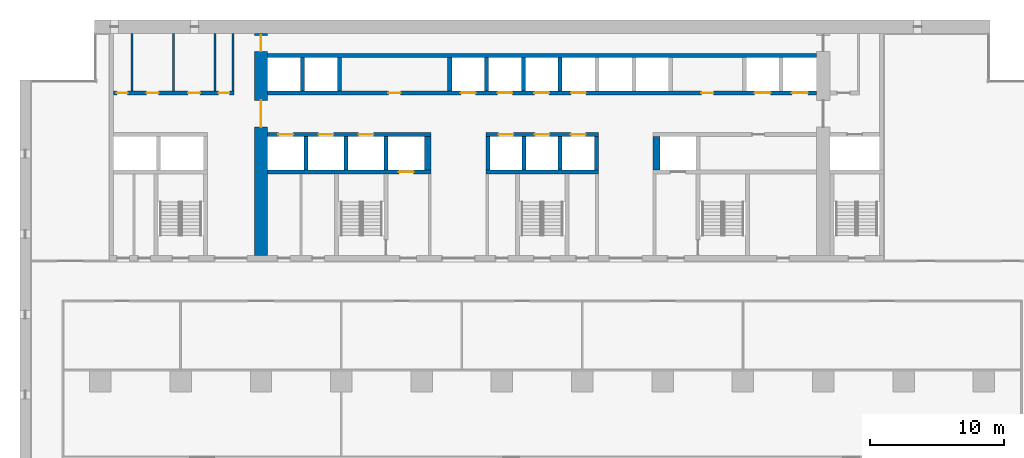
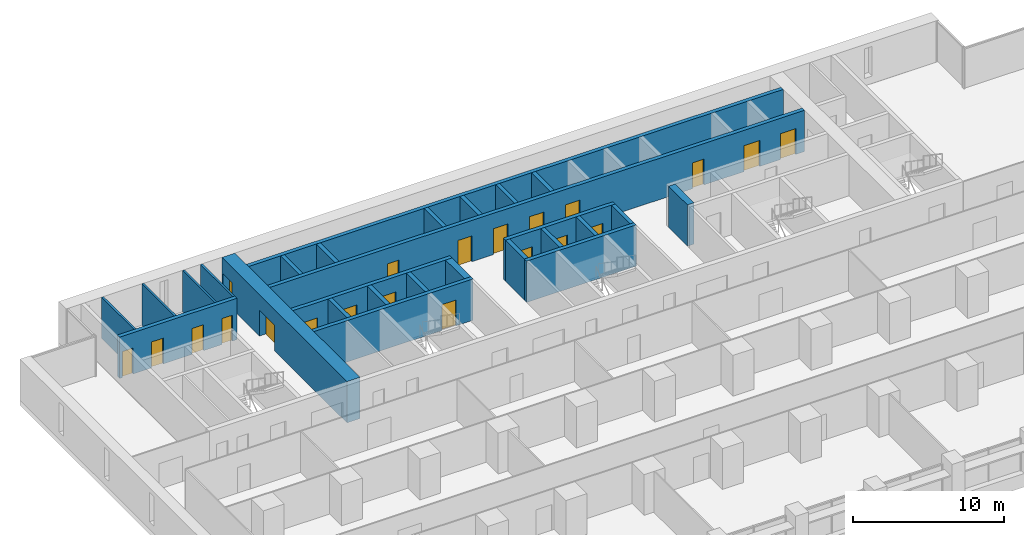
# One storey, part 11 of 17: 27 walls, 21 doors, 21 openings.
"""IFC4 building model written with IfcOpenShell, lengths in metres."""

from ifc_helpers import new_model, si_unit, direction, frame, frame_2d, origin, place, context, subcontext, project, spatial, rectangle, extrude, material, layer, layer_set, type_object, element, fill, save


model = new_model("IFC4")

# Units and contexts
model_context = context("Model", 3, precision=1e-05, world=origin(), true_north=direction((0.0, 1.0)))
body_context = subcontext(model_context, "Body", "Model", "MODEL_VIEW")
ifc_project = project(units=[si_unit("LENGTHUNIT", "METRE"), si_unit("AREAUNIT", "SQUARE_METRE"), si_unit("VOLUMEUNIT", "CUBIC_METRE"), si_unit("PLANEANGLEUNIT", "RADIAN"), si_unit("MASSUNIT", "GRAM", prefix="KILO")], contexts=[model_context])

# Site, building, storey
site_placement = place(None, origin())
site = spatial("IfcSite", under=ifc_project, at=site_placement, CompositionType="ELEMENT")
building_placement = place(site_placement, origin())
building = spatial("IfcBuilding", under=site, at=building_placement, Name="Calvaro Tower", CompositionType="ELEMENT")
storey_placement = place(building_placement, frame((0.0, 0.0, 67.5)))
storey = spatial("IfcBuildingStorey", under=building, at=storey_placement, Name="L16", CompositionType="ELEMENT", Elevation=67.5)

# Walls
ifc_material_1 = material(Name="Blockwork partition", Category="masonry")
ifc_layer_1 = layer(ifc_material_1, 0.14990234375)
ifc_layer_set_1 = layer_set([ifc_layer_1], Name="Blockwork partition")
wall_type_1 = type_object("IfcWallType", Name="Core partition 150 EI 60", PredefinedType="PARTITIONING", material=ifc_layer_set_1)
for number, where, z_axis, x_axis, name in (
    (1, (8.35009765625, 40.699951171875, 0.0), (0.0, 0.0, 1.0), (0.0, 1.0, 0.0), "Core partition"),
    (2, (11.449951171875, 40.699951171875, 0.0), (0.0, 0.0, 1.0), (0.0, 1.0, 0.0), "Core partition"),
    (3, (14.550048828125, 40.699951171875, 0.0), (0.0, 0.0, 1.0), (0.0, 1.0, 0.0), "Core partition"),
):
    element("IfcWall", number, at=place(storey_placement, frame(where, z_axis=z_axis, x_axis=x_axis)), inside=storey, type_object=wall_type_1, Name=name, PredefinedType="PARTITIONING", context=body_context, shape_type="SweptSolid", body=[
        extrude(rectangle(XDim=4.300048828125, YDim=0.14990234375, at=frame_2d((2.14990234375, 0.0))), origin(), (0.0, 0.0, 1.0), 3.35009765625),
    ])
ifc_material_2 = material(Name="Blockwork partition", Category="masonry")
ifc_layer_2 = layer(ifc_material_2, 0.14990234375)
ifc_layer_set_2 = layer_set([ifc_layer_2], Name="Blockwork partition")
wall_type_2 = type_object("IfcWallType", Name="Core partition 150 REI 120", PredefinedType="PARTITIONING", material=ifc_layer_set_2)
wall_1_placement = place(storey_placement, frame((15.925048828125, 40.699951171875, 0.0), z_axis=(0.0, 0.0, 1.0), x_axis=(0.0, 1.0, 0.0)))
element("IfcWall", 4, at=wall_1_placement, inside=storey, type_object=wall_type_2, Name="Core partition", PredefinedType="PARTITIONING", context=body_context, shape_type="SweptSolid", body=[
    extrude(rectangle(XDim=4.300048828125, YDim=0.14990234375, at=frame_2d((2.14990234375, 0.0))), origin(), (0.0, 0.0, 1.0), 3.35009765625),
])

# Wall, openings, doors
ifc_material_3 = material(Name="Blockwork partition", Category="masonry")
ifc_layer_3 = layer(ifc_material_3, 0.300048828125)
ifc_layer_set_3 = layer_set([ifc_layer_3], Name="Blockwork partition")
wall_type_3 = type_object("IfcWallType", Name="Core partition 300 REI 120", PredefinedType="PARTITIONING", material=ifc_layer_set_3)
wall_2_placement = place(storey_placement, frame((7.0, 40.550048828125, 0.0), z_axis=(0.0, 0.0, 1.0), x_axis=(1.0, 0.0, 0.0)))
wall_2 = element("IfcWall", 5, at=wall_2_placement, inside=storey, type_object=wall_type_3, Name="Core partition", PredefinedType="PARTITIONING", context=body_context, shape_type="SweptSolid", body=[
    extrude(rectangle(XDim=9.0, YDim=0.300048828125, at=frame_2d((4.5, 0.0))), origin(), (0.0, 0.0, 1.0), 3.35009765625),
])
opening_1_placement = place(wall_2_placement, frame((0.237548828125, 0.0, 0.0)))
opening_1 = element("IfcOpeningElement", 6, at=opening_1_placement, cuts=wall_2, Name="Opening RD8", PredefinedType="OPENING", context=body_context, shape_type="SweptSolid", body=[
    extrude(rectangle(XDim=0.800048828125, YDim=2.10009765625, at=frame_2d((0.39990234375, 1.050048828125))), frame((0.0, 0.159912109375, 0.0), z_axis=(0.0, -1.0, 0.0), x_axis=(1.0, 0.0, 0.0)), (0.0, 0.0, 1.0), 0.320068359375),
])
opening_2_placement = place(wall_2_placement, frame((2.449951171875, 0.0, 0.0)))
opening_2 = element("IfcOpeningElement", 7, at=opening_2_placement, cuts=wall_2, Name="Opening RD9", PredefinedType="OPENING", context=body_context, shape_type="SweptSolid", body=[
    extrude(rectangle(XDim=0.89990234375, YDim=2.10009765625, at=frame_2d((0.449951171875, 1.050048828125))), frame((0.0, 0.159912109375, 0.0), z_axis=(0.0, -1.0, 0.0), x_axis=(1.0, 0.0, 0.0)), (0.0, 0.0, 1.0), 0.320068359375),
])
opening_3_placement = place(wall_2_placement, frame((5.550048828125, 0.0, 0.0)))
opening_3 = element("IfcOpeningElement", 8, at=opening_3_placement, cuts=wall_2, Name="Opening RD9", PredefinedType="OPENING", context=body_context, shape_type="SweptSolid", body=[
    extrude(rectangle(XDim=0.89990234375, YDim=2.10009765625, at=frame_2d((0.449951171875, 1.050048828125))), frame((0.0, 0.159912109375, 0.0), z_axis=(0.0, -1.0, 0.0), x_axis=(1.0, 0.0, 0.0)), (0.0, 0.0, 1.0), 0.320068359375),
])
opening_4_placement = place(wall_2_placement, frame((7.83740234375, 0.0, 0.0)))
opening_4 = element("IfcOpeningElement", 9, at=opening_4_placement, cuts=wall_2, Name="Opening RD8C", PredefinedType="OPENING", context=body_context, shape_type="SweptSolid", body=[
    extrude(rectangle(XDim=0.800048828125, YDim=2.10009765625, at=frame_2d((0.39990234375, 1.050048828125))), frame((0.0, 0.159912109375, 0.0), z_axis=(0.0, -1.0, 0.0), x_axis=(1.0, 0.0, 0.0)), (0.0, 0.0, 1.0), 0.320068359375),
])
ifc_material_4 = material(Name="Steel door set", Category="steel")
door_type_1 = type_object("IfcDoorType", Name="Room door 800", OperationType="SINGLE_SWING_LEFT", PredefinedType="DOOR", material=ifc_material_4)
door_1_placement = place(opening_1_placement, origin())
door_1 = element("IfcDoor", 10, at=door_1_placement, inside=storey, type_object=door_type_1, Name="Room door", OperationType="SINGLE_SWING_LEFT", OverallHeight=2.10009765625, OverallWidth=0.800048828125, PredefinedType="DOOR", context=body_context, shape_type="SweptSolid", body=[
    extrude(rectangle(XDim=0.800048828125, YDim=2.10009765625, at=frame_2d((0.39990234375, 1.050048828125))), frame((0.0, 0.02490234375, 0.0), z_axis=(0.0, -1.0, 0.0), x_axis=(1.0, 0.0, 0.0)), (0.0, 0.0, 1.0), 0.050048828125),
])
fill(opening_1, door_1)
ifc_material_5 = material(Name="Steel door set", Category="steel")
door_type_2 = type_object("IfcDoorType", Name="Room door 800 FD30", OperationType="SINGLE_SWING_LEFT", PredefinedType="DOOR", material=ifc_material_5)
door_2_placement = place(opening_4_placement, origin())
door_2 = element("IfcDoor", 11, at=door_2_placement, inside=storey, type_object=door_type_2, Name="Room door", OperationType="SINGLE_SWING_RIGHT", OverallHeight=2.10009765625, OverallWidth=0.800048828125, PredefinedType="DOOR", context=body_context, shape_type="SweptSolid", body=[
    extrude(rectangle(XDim=0.800048828125, YDim=2.10009765625, at=frame_2d((0.39990234375, 1.050048828125))), frame((0.0, 0.02490234375, 0.0), z_axis=(0.0, -1.0, 0.0), x_axis=(1.0, 0.0, 0.0)), (0.0, 0.0, 1.0), 0.050048828125),
])
fill(opening_4, door_2)
ifc_material_6 = material(Name="Steel door set", Category="steel")
door_type_3 = type_object("IfcDoorType", Name="Room door 900", OperationType="SINGLE_SWING_LEFT", PredefinedType="DOOR", material=ifc_material_6)
door_3_placement = place(opening_2_placement, origin())
door_3 = element("IfcDoor", 12, at=door_3_placement, inside=storey, type_object=door_type_3, Name="Room door", OperationType="SINGLE_SWING_LEFT", OverallHeight=2.10009765625, OverallWidth=0.89990234375, PredefinedType="DOOR", context=body_context, shape_type="SweptSolid", body=[
    extrude(rectangle(XDim=0.89990234375, YDim=2.10009765625, at=frame_2d((0.449951171875, 1.050048828125))), frame((0.0, 0.02490234375, 0.0), z_axis=(0.0, -1.0, 0.0), x_axis=(1.0, 0.0, 0.0)), (0.0, 0.0, 1.0), 0.050048828125),
])
fill(opening_2, door_3)
door_4_placement = place(opening_3_placement, origin())
door_4 = element("IfcDoor", 13, at=door_4_placement, inside=storey, type_object=door_type_3, Name="Room door", OperationType="SINGLE_SWING_LEFT", OverallHeight=2.10009765625, OverallWidth=0.89990234375, PredefinedType="DOOR", context=body_context, shape_type="SweptSolid", body=[
    extrude(rectangle(XDim=0.89990234375, YDim=2.10009765625, at=frame_2d((0.449951171875, 1.050048828125))), frame((0.0, 0.02490234375, 0.0), z_axis=(0.0, -1.0, 0.0), x_axis=(1.0, 0.0, 0.0)), (0.0, 0.0, 1.0), 0.050048828125),
])
fill(opening_3, door_4)

ifc_material_7 = material(Name="Concrete C80/95", Category="concrete")
ifc_layer_4 = layer(ifc_material_7, 1.0)
ifc_layer_set_4 = layer_set([ifc_layer_4], Name="Concrete C80/95")
wall_type_4 = type_object("IfcWallType", Name="Core wall C80/95 1000", PredefinedType="SHEAR", material=ifc_layer_set_4)
wall_3_placement = place(storey_placement, frame((18.0, 28.39990234375, 0.0), z_axis=(0.0, 0.0, 1.0), x_axis=(0.0, 1.0, 0.0)))
wall_3 = element("IfcWall", 14, at=wall_3_placement, inside=storey, type_object=wall_type_4, Name="Core wall, cross shear wall", PredefinedType="SHEAR", context=body_context, shape_type="SweptSolid", body=[
    extrude(rectangle(XDim=16.60009765625, YDim=1.0, at=frame_2d((8.300048828125, 0.0))), origin(), (0.0, 0.0, 1.0), 3.35009765625),
])
opening_5_placement = place(wall_3_placement, frame((9.60009765625, 0.0, 0.0)))
opening_5 = element("IfcOpeningElement", 15, at=opening_5_placement, cuts=wall_3, Name="Opening DD20D", PredefinedType="OPENING", context=body_context, shape_type="SweptSolid", body=[
    extrude(rectangle(XDim=2.0, YDim=2.10009765625, at=frame_2d((1.0, 1.050048828125))), frame((0.0, 0.510009765625, 0.0), z_axis=(0.0, -1.0, 0.0), x_axis=(1.0, 0.0, 0.0)), (0.0, 0.0, 1.0), 1.02001953125),
])
opening_6_placement = place(wall_3_placement, frame((15.25, 0.0, 0.0)))
opening_6 = element("IfcOpeningElement", 16, at=opening_6_placement, cuts=wall_3, Name="Opening FD12C", PredefinedType="OPENING", context=body_context, shape_type="SweptSolid", body=[
    extrude(rectangle(XDim=1.199951171875, YDim=2.10009765625, at=frame_2d((0.60009765625, 1.050048828125))), frame((0.0, 0.510009765625, 0.0), z_axis=(0.0, -1.0, 0.0), x_axis=(1.0, 0.0, 0.0)), (0.0, 0.0, 1.0), 1.02001953125),
])
ifc_material_8 = material(Name="Steel door set", Category="steel")
door_type_4 = type_object("IfcDoorType", Name="Fire door 1200 FD30", OperationType="SINGLE_SWING_LEFT", PredefinedType="DOOR", material=ifc_material_8)
door_5_placement = place(opening_6_placement, origin())
door_5 = element("IfcDoor", 17, at=door_5_placement, inside=storey, type_object=door_type_4, Name="Fire door", OperationType="SINGLE_SWING_LEFT", OverallHeight=2.10009765625, OverallWidth=1.199951171875, PredefinedType="DOOR", context=body_context, shape_type="SweptSolid", body=[
    extrude(rectangle(XDim=1.199951171875, YDim=2.10009765625, at=frame_2d((0.60009765625, 1.050048828125))), frame((0.0, 0.02490234375, 0.0), z_axis=(0.0, -1.0, 0.0), x_axis=(1.0, 0.0, 0.0)), (0.0, 0.0, 1.0), 0.050048828125),
])
fill(opening_6, door_5)
ifc_material_9 = material(Name="Steel door set", Category="steel")
door_type_5 = type_object("IfcDoorType", Name="Lobby double door 2000 FD30S", OperationType="DOUBLE_DOOR_SINGLE_SWING", PredefinedType="DOOR", material=ifc_material_9)
door_6_placement = place(opening_5_placement, origin())
door_6 = element("IfcDoor", 18, at=door_6_placement, inside=storey, type_object=door_type_5, Name="Lobby double door", OperationType="DOUBLE_DOOR_SINGLE_SWING", OverallHeight=2.10009765625, OverallWidth=2.0, PredefinedType="DOOR", context=body_context, shape_type="SweptSolid", body=[
    extrude(rectangle(XDim=2.0, YDim=2.10009765625, at=frame_2d((1.0, 1.050048828125))), frame((0.0, 0.02490234375, 0.0), z_axis=(0.0, -1.0, 0.0), x_axis=(1.0, 0.0, 0.0)), (0.0, 0.0, 1.0), 0.050048828125),
])
fill(opening_5, door_6)

# Wall, opening, door
ifc_material_10 = material(Name="Concrete C80/95", Category="concrete")
ifc_layer_5 = layer(ifc_material_10, 0.300048828125)
ifc_layer_set_5 = layer_set([ifc_layer_5], Name="Concrete C80/95")
wall_type_5 = type_object("IfcWallType", Name="Core wall C80/95 300", PredefinedType="SHEAR", material=ifc_layer_set_5)
wall_4_placement = place(storey_placement, frame((18.5, 34.64990234375, 0.0), z_axis=(0.0, 0.0, 1.0), x_axis=(1.0, 0.0, 0.0)))
wall_4 = element("IfcWall", 19, at=wall_4_placement, inside=storey, type_object=wall_type_5, Name="Core wall, lift shaft", PredefinedType="SHEAR", context=body_context, shape_type="SweptSolid", body=[
    extrude(rectangle(XDim=12.199951171875, YDim=0.300048828125, at=frame_2d((6.10009765625, 0.0))), origin(), (0.0, 0.0, 1.0), 3.35009765625),
])
opening_7_placement = place(wall_4_placement, frame((9.800048828125, 0.0, 0.0)))
opening_7 = element("IfcOpeningElement", 20, at=opening_7_placement, cuts=wall_4, Name="Opening FF1", PredefinedType="OPENING", context=body_context, shape_type="SweptSolid", body=[
    extrude(rectangle(XDim=1.10009765625, YDim=2.10009765625, at=frame_2d((0.550048828125, 1.050048828125))), frame((0.0, 0.159912109375, 0.0), z_axis=(0.0, -1.0, 0.0), x_axis=(1.0, 0.0, 0.0)), (0.0, 0.0, 1.0), 0.320068359375),
])
ifc_material_11 = material(Name="Stainless steel", Category="steel")
door_type_6 = type_object("IfcDoorType", Name="Landing door 1100 E 60", OperationType="SLIDING_TO_LEFT", PredefinedType="DOOR", material=ifc_material_11)
door_7_placement = place(opening_7_placement, origin())
door_7 = element("IfcDoor", 21, at=door_7_placement, inside=storey, type_object=door_type_6, Name="Landing door FF1", OperationType="SLIDING_TO_LEFT", OverallHeight=2.10009765625, OverallWidth=1.10009765625, PredefinedType="DOOR", context=body_context, shape_type="SweptSolid", body=[
    extrude(rectangle(XDim=1.10009765625, YDim=2.10009765625, at=frame_2d((0.550048828125, 1.050048828125))), frame((0.0, 0.02490234375, 0.0), z_axis=(0.0, -1.0, 0.0), x_axis=(1.0, 0.0, 0.0)), (0.0, 0.0, 1.0), 0.050048828125),
])
fill(opening_7, door_7)

# Wall
wall_5_placement = place(storey_placement, frame((34.800048828125, 34.64990234375, 0.0), z_axis=(0.0, 0.0, 1.0), x_axis=(1.0, 0.0, 0.0)))
element("IfcWall", 22, at=wall_5_placement, inside=storey, type_object=wall_type_5, Name="Core wall, lift shaft", PredefinedType="SHEAR", context=body_context, shape_type="SweptSolid", body=[
    extrude(rectangle(XDim=8.39990234375, YDim=0.300048828125, at=frame_2d((4.199951171875, 0.0))), origin(), (0.0, 0.0, 1.0), 3.35009765625),
])

# Wall, openings, doors
wall_6_placement = place(storey_placement, frame((18.5, 37.449951171875, 0.0), z_axis=(0.0, 0.0, 1.0), x_axis=(1.0, 0.0, 0.0)))
wall_6 = element("IfcWall", 23, at=wall_6_placement, inside=storey, type_object=wall_type_5, Name="Core wall, lift shaft", PredefinedType="SHEAR", context=body_context, shape_type="SweptSolid", body=[
    extrude(rectangle(XDim=12.199951171875, YDim=0.300048828125, at=frame_2d((6.10009765625, 0.0))), origin(), (0.0, 0.0, 1.0), 3.35009765625),
])
opening_8_placement = place(wall_6_placement, frame((0.800048828125, 0.0, 0.0)))
opening_8 = element("IfcOpeningElement", 24, at=opening_8_placement, cuts=wall_6, Name="Opening LR1", PredefinedType="OPENING", context=body_context, shape_type="SweptSolid", body=[
    extrude(rectangle(XDim=1.10009765625, YDim=2.10009765625, at=frame_2d((0.550048828125, 1.050048828125))), frame((0.0, 0.159912109375, 0.0), z_axis=(0.0, -1.0, 0.0), x_axis=(1.0, 0.0, 0.0)), (0.0, 0.0, 1.0), 0.320068359375),
])
opening_9_placement = place(wall_6_placement, frame((3.800048828125, 0.0, 0.0)))
opening_9 = element("IfcOpeningElement", 25, at=opening_9_placement, cuts=wall_6, Name="Opening LR2", PredefinedType="OPENING", context=body_context, shape_type="SweptSolid", body=[
    extrude(rectangle(XDim=1.10009765625, YDim=2.10009765625, at=frame_2d((0.550048828125, 1.050048828125))), frame((0.0, 0.159912109375, 0.0), z_axis=(0.0, -1.0, 0.0), x_axis=(1.0, 0.0, 0.0)), (0.0, 0.0, 1.0), 0.320068359375),
])
opening_10_placement = place(wall_6_placement, frame((6.800048828125, 0.0, 0.0)))
opening_10 = element("IfcOpeningElement", 26, at=opening_10_placement, cuts=wall_6, Name="Opening LR3", PredefinedType="OPENING", context=body_context, shape_type="SweptSolid", body=[
    extrude(rectangle(XDim=1.10009765625, YDim=2.10009765625, at=frame_2d((0.550048828125, 1.050048828125))), frame((0.0, 0.159912109375, 0.0), z_axis=(0.0, -1.0, 0.0), x_axis=(1.0, 0.0, 0.0)), (0.0, 0.0, 1.0), 0.320068359375),
])
door_8_placement = place(opening_8_placement, origin())
door_8 = element("IfcDoor", 27, at=door_8_placement, inside=storey, type_object=door_type_6, Name="Landing door LR1", OperationType="SLIDING_TO_LEFT", OverallHeight=2.10009765625, OverallWidth=1.10009765625, PredefinedType="DOOR", context=body_context, shape_type="SweptSolid", body=[
    extrude(rectangle(XDim=1.10009765625, YDim=2.10009765625, at=frame_2d((0.550048828125, 1.050048828125))), frame((0.0, 0.02490234375, 0.0), z_axis=(0.0, -1.0, 0.0), x_axis=(1.0, 0.0, 0.0)), (0.0, 0.0, 1.0), 0.050048828125),
])
fill(opening_8, door_8)
door_9_placement = place(opening_9_placement, origin())
door_9 = element("IfcDoor", 28, at=door_9_placement, inside=storey, type_object=door_type_6, Name="Landing door LR2", OperationType="SLIDING_TO_LEFT", OverallHeight=2.10009765625, OverallWidth=1.10009765625, PredefinedType="DOOR", context=body_context, shape_type="SweptSolid", body=[
    extrude(rectangle(XDim=1.10009765625, YDim=2.10009765625, at=frame_2d((0.550048828125, 1.050048828125))), frame((0.0, 0.02490234375, 0.0), z_axis=(0.0, -1.0, 0.0), x_axis=(1.0, 0.0, 0.0)), (0.0, 0.0, 1.0), 0.050048828125),
])
fill(opening_9, door_9)
door_10_placement = place(opening_10_placement, origin())
door_10 = element("IfcDoor", 29, at=door_10_placement, inside=storey, type_object=door_type_6, Name="Landing door LR3", OperationType="SLIDING_TO_LEFT", OverallHeight=2.10009765625, OverallWidth=1.10009765625, PredefinedType="DOOR", context=body_context, shape_type="SweptSolid", body=[
    extrude(rectangle(XDim=1.10009765625, YDim=2.10009765625, at=frame_2d((0.550048828125, 1.050048828125))), frame((0.0, 0.02490234375, 0.0), z_axis=(0.0, -1.0, 0.0), x_axis=(1.0, 0.0, 0.0)), (0.0, 0.0, 1.0), 0.050048828125),
])
fill(opening_10, door_10)

wall_7_placement = place(storey_placement, frame((34.800048828125, 37.449951171875, 0.0), z_axis=(0.0, 0.0, 1.0), x_axis=(1.0, 0.0, 0.0)))
wall_7 = element("IfcWall", 30, at=wall_7_placement, inside=storey, type_object=wall_type_5, Name="Core wall, lift shaft", PredefinedType="SHEAR", context=body_context, shape_type="SweptSolid", body=[
    extrude(rectangle(XDim=8.39990234375, YDim=0.300048828125, at=frame_2d((4.199951171875, 0.0))), origin(), (0.0, 0.0, 1.0), 3.35009765625),
])
opening_11_placement = place(wall_7_placement, frame((0.949951171875, 0.0, 0.0)))
opening_11 = element("IfcOpeningElement", 31, at=opening_11_placement, cuts=wall_7, Name="Opening LR4", PredefinedType="OPENING", context=body_context, shape_type="SweptSolid", body=[
    extrude(rectangle(XDim=1.10009765625, YDim=2.10009765625, at=frame_2d((0.550048828125, 1.050048828125))), frame((0.0, 0.159912109375, 0.0), z_axis=(0.0, -1.0, 0.0), x_axis=(1.0, 0.0, 0.0)), (0.0, 0.0, 1.0), 0.320068359375),
])
opening_12_placement = place(wall_7_placement, frame((3.64990234375, 0.0, 0.0)))
opening_12 = element("IfcOpeningElement", 32, at=opening_12_placement, cuts=wall_7, Name="Opening LR5", PredefinedType="OPENING", context=body_context, shape_type="SweptSolid", body=[
    extrude(rectangle(XDim=1.10009765625, YDim=2.10009765625, at=frame_2d((0.550048828125, 1.050048828125))), frame((0.0, 0.159912109375, 0.0), z_axis=(0.0, -1.0, 0.0), x_axis=(1.0, 0.0, 0.0)), (0.0, 0.0, 1.0), 0.320068359375),
])
opening_13_placement = place(wall_7_placement, frame((6.35009765625, 0.0, 0.0)))
opening_13 = element("IfcOpeningElement", 33, at=opening_13_placement, cuts=wall_7, Name="Opening LR6", PredefinedType="OPENING", context=body_context, shape_type="SweptSolid", body=[
    extrude(rectangle(XDim=1.10009765625, YDim=2.10009765625, at=frame_2d((0.550048828125, 1.050048828125))), frame((0.0, 0.159912109375, 0.0), z_axis=(0.0, -1.0, 0.0), x_axis=(1.0, 0.0, 0.0)), (0.0, 0.0, 1.0), 0.320068359375),
])
door_11_placement = place(opening_11_placement, origin())
door_11 = element("IfcDoor", 34, at=door_11_placement, inside=storey, type_object=door_type_6, Name="Landing door LR4", OperationType="SLIDING_TO_LEFT", OverallHeight=2.10009765625, OverallWidth=1.10009765625, PredefinedType="DOOR", context=body_context, shape_type="SweptSolid", body=[
    extrude(rectangle(XDim=1.10009765625, YDim=2.10009765625, at=frame_2d((0.550048828125, 1.050048828125))), frame((0.0, 0.02490234375, 0.0), z_axis=(0.0, -1.0, 0.0), x_axis=(1.0, 0.0, 0.0)), (0.0, 0.0, 1.0), 0.050048828125),
])
fill(opening_11, door_11)
door_12_placement = place(opening_12_placement, origin())
door_12 = element("IfcDoor", 35, at=door_12_placement, inside=storey, type_object=door_type_6, Name="Landing door LR5", OperationType="SLIDING_TO_LEFT", OverallHeight=2.10009765625, OverallWidth=1.10009765625, PredefinedType="DOOR", context=body_context, shape_type="SweptSolid", body=[
    extrude(rectangle(XDim=1.10009765625, YDim=2.10009765625, at=frame_2d((0.550048828125, 1.050048828125))), frame((0.0, 0.02490234375, 0.0), z_axis=(0.0, -1.0, 0.0), x_axis=(1.0, 0.0, 0.0)), (0.0, 0.0, 1.0), 0.050048828125),
])
fill(opening_12, door_12)
door_13_placement = place(opening_13_placement, origin())
door_13 = element("IfcDoor", 36, at=door_13_placement, inside=storey, type_object=door_type_6, Name="Landing door LR6", OperationType="SLIDING_TO_LEFT", OverallHeight=2.10009765625, OverallWidth=1.10009765625, PredefinedType="DOOR", context=body_context, shape_type="SweptSolid", body=[
    extrude(rectangle(XDim=1.10009765625, YDim=2.10009765625, at=frame_2d((0.550048828125, 1.050048828125))), frame((0.0, 0.02490234375, 0.0), z_axis=(0.0, -1.0, 0.0), x_axis=(1.0, 0.0, 0.0)), (0.0, 0.0, 1.0), 0.050048828125),
])
fill(opening_13, door_13)

# Walls
for number, where, z_axis, x_axis, name in (
    (37, (27.35009765625, 34.800048828125, 0.0), (0.0, 0.0, 1.0), (0.0, 1.0, 0.0), "Core wall, lift shaft"),
    (38, (34.949951171875, 34.800048828125, 0.0), (0.0, 0.0, 1.0), (0.0, 1.0, 0.0), "Core wall, lift shaft"),
    (39, (43.050048828125, 34.800048828125, 0.0), (0.0, 0.0, 1.0), (0.0, 1.0, 0.0), "Core wall, lift shaft"),
):
    element("IfcWall", number, at=place(storey_placement, frame(where, z_axis=z_axis, x_axis=x_axis)), inside=storey, type_object=wall_type_5, Name=name, PredefinedType="SHEAR", context=body_context, shape_type="SweptSolid", body=[
        extrude(rectangle(XDim=2.5, YDim=0.300048828125, at=frame_2d((1.25, 0.0))), origin(), (0.0, 0.0, 1.0), 3.35009765625),
    ])

# Wall, openings, doors
wall_8_placement = place(storey_placement, frame((18.5, 40.550048828125, 0.0), z_axis=(0.0, 0.0, 1.0), x_axis=(1.0, 0.0, 0.0)))
wall_8 = element("IfcWall", 40, at=wall_8_placement, inside=storey, type_object=wall_type_5, Name="Core wall, bay", PredefinedType="SHEAR", context=body_context, shape_type="SweptSolid", body=[
    extrude(rectangle(XDim=41.0, YDim=0.300048828125, at=frame_2d((20.5, 0.0))), origin(), (0.0, 0.0, 1.0), 3.35009765625),
])
opening_14_placement = place(wall_8_placement, frame((9.02490234375, 0.0, 0.0)))
opening_14 = element("IfcOpeningElement", 41, at=opening_14_placement, cuts=wall_8, Name="Opening RD9C", PredefinedType="OPENING", context=body_context, shape_type="SweptSolid", body=[
    extrude(rectangle(XDim=0.89990234375, YDim=2.10009765625, at=frame_2d((0.449951171875, 1.050048828125))), frame((0.0, 0.159912109375, 0.0), z_axis=(0.0, -1.0, 0.0), x_axis=(1.0, 0.0, 0.0)), (0.0, 0.0, 1.0), 0.320068359375),
])
opening_15_placement = place(wall_8_placement, frame((32.39990234375, 0.0, 0.0)))
opening_15 = element("IfcOpeningElement", 42, at=opening_15_placement, cuts=wall_8, Name="Opening RD9C", PredefinedType="OPENING", context=body_context, shape_type="SweptSolid", body=[
    extrude(rectangle(XDim=0.89990234375, YDim=2.10009765625, at=frame_2d((0.449951171875, 1.050048828125))), frame((0.0, 0.159912109375, 0.0), z_axis=(0.0, -1.0, 0.0), x_axis=(1.0, 0.0, 0.0)), (0.0, 0.0, 1.0), 0.320068359375),
])
opening_16_placement = place(wall_8_placement, frame((14.425048828125, 0.0, 0.0)))
opening_16 = element("IfcOpeningElement", 43, at=opening_16_placement, cuts=wall_8, Name="Opening LR7", PredefinedType="OPENING", context=body_context, shape_type="SweptSolid", body=[
    extrude(rectangle(XDim=1.10009765625, YDim=2.10009765625, at=frame_2d((0.550048828125, 1.050048828125))), frame((0.0, 0.159912109375, 0.0), z_axis=(0.0, -1.0, 0.0), x_axis=(1.0, 0.0, 0.0)), (0.0, 0.0, 1.0), 0.320068359375),
])
opening_17_placement = place(wall_8_placement, frame((17.175048828125, 0.0, 0.0)))
opening_17 = element("IfcOpeningElement", 44, at=opening_17_placement, cuts=wall_8, Name="Opening LR8", PredefinedType="OPENING", context=body_context, shape_type="SweptSolid", body=[
    extrude(rectangle(XDim=1.10009765625, YDim=2.10009765625, at=frame_2d((0.550048828125, 1.050048828125))), frame((0.0, 0.159912109375, 0.0), z_axis=(0.0, -1.0, 0.0), x_axis=(1.0, 0.0, 0.0)), (0.0, 0.0, 1.0), 0.320068359375),
])
opening_18_placement = place(wall_8_placement, frame((19.925048828125, 0.0, 0.0)))
opening_18 = element("IfcOpeningElement", 45, at=opening_18_placement, cuts=wall_8, Name="Opening LR9", PredefinedType="OPENING", context=body_context, shape_type="SweptSolid", body=[
    extrude(rectangle(XDim=1.10009765625, YDim=2.10009765625, at=frame_2d((0.550048828125, 1.050048828125))), frame((0.0, 0.159912109375, 0.0), z_axis=(0.0, -1.0, 0.0), x_axis=(1.0, 0.0, 0.0)), (0.0, 0.0, 1.0), 0.320068359375),
])
opening_19_placement = place(wall_8_placement, frame((22.675048828125, 0.0, 0.0)))
opening_19 = element("IfcOpeningElement", 46, at=opening_19_placement, cuts=wall_8, Name="Opening LR10", PredefinedType="OPENING", context=body_context, shape_type="SweptSolid", body=[
    extrude(rectangle(XDim=1.10009765625, YDim=2.10009765625, at=frame_2d((0.550048828125, 1.050048828125))), frame((0.0, 0.159912109375, 0.0), z_axis=(0.0, -1.0, 0.0), x_axis=(1.0, 0.0, 0.0)), (0.0, 0.0, 1.0), 0.320068359375),
])
opening_20_placement = place(wall_8_placement, frame((36.375, 0.0, 0.0)))
opening_20 = element("IfcOpeningElement", 47, at=opening_20_placement, cuts=wall_8, Name="Opening SV1", PredefinedType="OPENING", context=body_context, shape_type="SweptSolid", body=[
    extrude(rectangle(XDim=1.199951171875, YDim=2.10009765625, at=frame_2d((0.60009765625, 1.050048828125))), frame((0.0, 0.159912109375, 0.0), z_axis=(0.0, -1.0, 0.0), x_axis=(1.0, 0.0, 0.0)), (0.0, 0.0, 1.0), 0.320068359375),
])
opening_21_placement = place(wall_8_placement, frame((39.14990234375, 0.0, 0.0)))
opening_21 = element("IfcOpeningElement", 48, at=opening_21_placement, cuts=wall_8, Name="Opening SV2", PredefinedType="OPENING", context=body_context, shape_type="SweptSolid", body=[
    extrude(rectangle(XDim=1.199951171875, YDim=2.10009765625, at=frame_2d((0.60009765625, 1.050048828125))), frame((0.0, 0.159912109375, 0.0), z_axis=(0.0, -1.0, 0.0), x_axis=(1.0, 0.0, 0.0)), (0.0, 0.0, 1.0), 0.320068359375),
])
door_14_placement = place(opening_16_placement, origin())
door_14 = element("IfcDoor", 49, at=door_14_placement, inside=storey, type_object=door_type_6, Name="Landing door LR7", OperationType="SLIDING_TO_LEFT", OverallHeight=2.10009765625, OverallWidth=1.10009765625, PredefinedType="DOOR", context=body_context, shape_type="SweptSolid", body=[
    extrude(rectangle(XDim=1.10009765625, YDim=2.10009765625, at=frame_2d((0.550048828125, 1.050048828125))), frame((0.0, 0.02490234375, 0.0), z_axis=(0.0, -1.0, 0.0), x_axis=(1.0, 0.0, 0.0)), (0.0, 0.0, 1.0), 0.050048828125),
])
fill(opening_16, door_14)
door_15_placement = place(opening_17_placement, origin())
door_15 = element("IfcDoor", 50, at=door_15_placement, inside=storey, type_object=door_type_6, Name="Landing door LR8", OperationType="SLIDING_TO_LEFT", OverallHeight=2.10009765625, OverallWidth=1.10009765625, PredefinedType="DOOR", context=body_context, shape_type="SweptSolid", body=[
    extrude(rectangle(XDim=1.10009765625, YDim=2.10009765625, at=frame_2d((0.550048828125, 1.050048828125))), frame((0.0, 0.02490234375, 0.0), z_axis=(0.0, -1.0, 0.0), x_axis=(1.0, 0.0, 0.0)), (0.0, 0.0, 1.0), 0.050048828125),
])
fill(opening_17, door_15)
door_16_placement = place(opening_18_placement, origin())
door_16 = element("IfcDoor", 51, at=door_16_placement, inside=storey, type_object=door_type_6, Name="Landing door LR9", OperationType="SLIDING_TO_LEFT", OverallHeight=2.10009765625, OverallWidth=1.10009765625, PredefinedType="DOOR", context=body_context, shape_type="SweptSolid", body=[
    extrude(rectangle(XDim=1.10009765625, YDim=2.10009765625, at=frame_2d((0.550048828125, 1.050048828125))), frame((0.0, 0.02490234375, 0.0), z_axis=(0.0, -1.0, 0.0), x_axis=(1.0, 0.0, 0.0)), (0.0, 0.0, 1.0), 0.050048828125),
])
fill(opening_18, door_16)
door_17_placement = place(opening_19_placement, origin())
door_17 = element("IfcDoor", 52, at=door_17_placement, inside=storey, type_object=door_type_6, Name="Landing door LR10", OperationType="SLIDING_TO_LEFT", OverallHeight=2.10009765625, OverallWidth=1.10009765625, PredefinedType="DOOR", context=body_context, shape_type="SweptSolid", body=[
    extrude(rectangle(XDim=1.10009765625, YDim=2.10009765625, at=frame_2d((0.550048828125, 1.050048828125))), frame((0.0, 0.02490234375, 0.0), z_axis=(0.0, -1.0, 0.0), x_axis=(1.0, 0.0, 0.0)), (0.0, 0.0, 1.0), 0.050048828125),
])
fill(opening_19, door_17)
ifc_material_12 = material(Name="Stainless steel", Category="steel")
door_type_7 = type_object("IfcDoorType", Name="Landing door 1200 E 60", OperationType="SLIDING_TO_LEFT", PredefinedType="DOOR", material=ifc_material_12)
door_18_placement = place(opening_20_placement, origin())
door_18 = element("IfcDoor", 53, at=door_18_placement, inside=storey, type_object=door_type_7, Name="Landing door SV1", OperationType="SLIDING_TO_LEFT", OverallHeight=2.10009765625, OverallWidth=1.199951171875, PredefinedType="DOOR", context=body_context, shape_type="SweptSolid", body=[
    extrude(rectangle(XDim=1.199951171875, YDim=2.10009765625, at=frame_2d((0.60009765625, 1.050048828125))), frame((0.0, 0.02490234375, 0.0), z_axis=(0.0, -1.0, 0.0), x_axis=(1.0, 0.0, 0.0)), (0.0, 0.0, 1.0), 0.050048828125),
])
fill(opening_20, door_18)
door_19_placement = place(opening_21_placement, origin())
door_19 = element("IfcDoor", 54, at=door_19_placement, inside=storey, type_object=door_type_7, Name="Landing door SV2", OperationType="SLIDING_TO_LEFT", OverallHeight=2.10009765625, OverallWidth=1.199951171875, PredefinedType="DOOR", context=body_context, shape_type="SweptSolid", body=[
    extrude(rectangle(XDim=1.199951171875, YDim=2.10009765625, at=frame_2d((0.60009765625, 1.050048828125))), frame((0.0, 0.02490234375, 0.0), z_axis=(0.0, -1.0, 0.0), x_axis=(1.0, 0.0, 0.0)), (0.0, 0.0, 1.0), 0.050048828125),
])
fill(opening_21, door_19)
ifc_material_13 = material(Name="Steel door set", Category="steel")
door_type_8 = type_object("IfcDoorType", Name="Room door 900 FD30", OperationType="SINGLE_SWING_LEFT", PredefinedType="DOOR", material=ifc_material_13)
door_20_placement = place(opening_14_placement, origin())
door_20 = element("IfcDoor", 55, at=door_20_placement, inside=storey, type_object=door_type_8, Name="Room door", OperationType="SINGLE_SWING_RIGHT", OverallHeight=2.10009765625, OverallWidth=0.89990234375, PredefinedType="DOOR", context=body_context, shape_type="SweptSolid", body=[
    extrude(rectangle(XDim=0.89990234375, YDim=2.10009765625, at=frame_2d((0.449951171875, 1.050048828125))), frame((0.0, 0.02490234375, 0.0), z_axis=(0.0, -1.0, 0.0), x_axis=(1.0, 0.0, 0.0)), (0.0, 0.0, 1.0), 0.050048828125),
])
fill(opening_14, door_20)
door_21_placement = place(opening_15_placement, origin())
door_21 = element("IfcDoor", 56, at=door_21_placement, inside=storey, type_object=door_type_8, Name="Room door", OperationType="SINGLE_SWING_LEFT", OverallHeight=2.10009765625, OverallWidth=0.89990234375, PredefinedType="DOOR", context=body_context, shape_type="SweptSolid", body=[
    extrude(rectangle(XDim=0.89990234375, YDim=2.10009765625, at=frame_2d((0.449951171875, 1.050048828125))), frame((0.0, 0.02490234375, 0.0), z_axis=(0.0, -1.0, 0.0), x_axis=(1.0, 0.0, 0.0)), (0.0, 0.0, 1.0), 0.050048828125),
])
fill(opening_15, door_21)

# Walls
wall_9_placement = place(storey_placement, frame((18.5, 43.35009765625, 0.0), z_axis=(0.0, 0.0, 1.0), x_axis=(1.0, 0.0, 0.0)))
element("IfcWall", 57, at=wall_9_placement, inside=storey, type_object=wall_type_5, Name="Core wall, lift shaft", PredefinedType="SHEAR", context=body_context, shape_type="SweptSolid", body=[
    extrude(rectangle(XDim=41.0, YDim=0.300048828125, at=frame_2d((20.5, 0.0))), origin(), (0.0, 0.0, 1.0), 3.35009765625),
])
for number, where, z_axis, x_axis, name in (
    (58, (21.35009765625, 34.800048828125, 0.0), (0.0, 0.0, 1.0), (0.0, 1.0, 0.0), "Core wall, lift shaft"),
    (59, (24.35009765625, 34.800048828125, 0.0), (0.0, 0.0, 1.0), (0.0, 1.0, 0.0), "Core wall, lift shaft"),
    (60, (37.64990234375, 34.800048828125, 0.0), (0.0, 0.0, 1.0), (0.0, 1.0, 0.0), "Core wall, lift shaft"),
    (61, (40.35009765625, 34.800048828125, 0.0), (0.0, 0.0, 1.0), (0.0, 1.0, 0.0), "Core wall, lift shaft"),
    (62, (21.10009765625, 40.699951171875, 0.0), (0.0, 0.0, 1.0), (0.0, 1.0, 0.0), "Core wall, lift shaft"),
    (63, (23.85009765625, 40.699951171875, 0.0), (0.0, 0.0, 1.0), (0.0, 1.0, 0.0), "Core wall, lift shaft"),
    (64, (32.10009765625, 40.699951171875, 0.0), (0.0, 0.0, 1.0), (0.0, 1.0, 0.0), "Core wall, lift shaft"),
    (65, (34.85009765625, 40.699951171875, 0.0), (0.0, 0.0, 1.0), (0.0, 1.0, 0.0), "Core wall, lift shaft"),
    (66, (37.60009765625, 40.699951171875, 0.0), (0.0, 0.0, 1.0), (0.0, 1.0, 0.0), "Core wall, lift shaft"),
    (67, (40.35009765625, 40.699951171875, 0.0), (0.0, 0.0, 1.0), (0.0, 1.0, 0.0), "Core wall, lift shaft"),
):
    element("IfcWall", number, at=place(storey_placement, frame(where, z_axis=z_axis, x_axis=x_axis)), inside=storey, type_object=wall_type_5, Name=name, PredefinedType="SHEAR", context=body_context, shape_type="SweptSolid", body=[
        extrude(rectangle(XDim=2.5, YDim=0.300048828125, at=frame_2d((1.25, 0.0))), origin(), (0.0, 0.0, 1.0), 3.35009765625),
    ])
ifc_material_14 = material(Name="Concrete C80/95", Category="concrete")
ifc_layer_6 = layer(ifc_material_14, 0.5)
ifc_layer_set_6 = layer_set([ifc_layer_6], Name="Concrete C80/95")
wall_type_6 = type_object("IfcWallType", Name="Core wall C80/95 500", PredefinedType="SHEAR", material=ifc_layer_set_6)
for number, where, z_axis, x_axis, name in (
    (68, (30.449951171875, 34.800048828125, 0.0), (0.0, 0.0, 1.0), (0.0, 1.0, 0.0), "Core wall, lift shaft"),
    (69, (47.550048828125, 34.800048828125, 0.0), (0.0, 0.0, 1.0), (0.0, 1.0, 0.0), "Core wall, lift shaft"),
):
    element("IfcWall", number, at=place(storey_placement, frame(where, z_axis=z_axis, x_axis=x_axis)), inside=storey, type_object=wall_type_6, Name=name, PredefinedType="SHEAR", context=body_context, shape_type="SweptSolid", body=[
        extrude(rectangle(XDim=2.5, YDim=0.5, at=frame_2d((1.25, 0.0))), origin(), (0.0, 0.0, 1.0), 3.35009765625),
    ])

save(model, "model.ifc")
